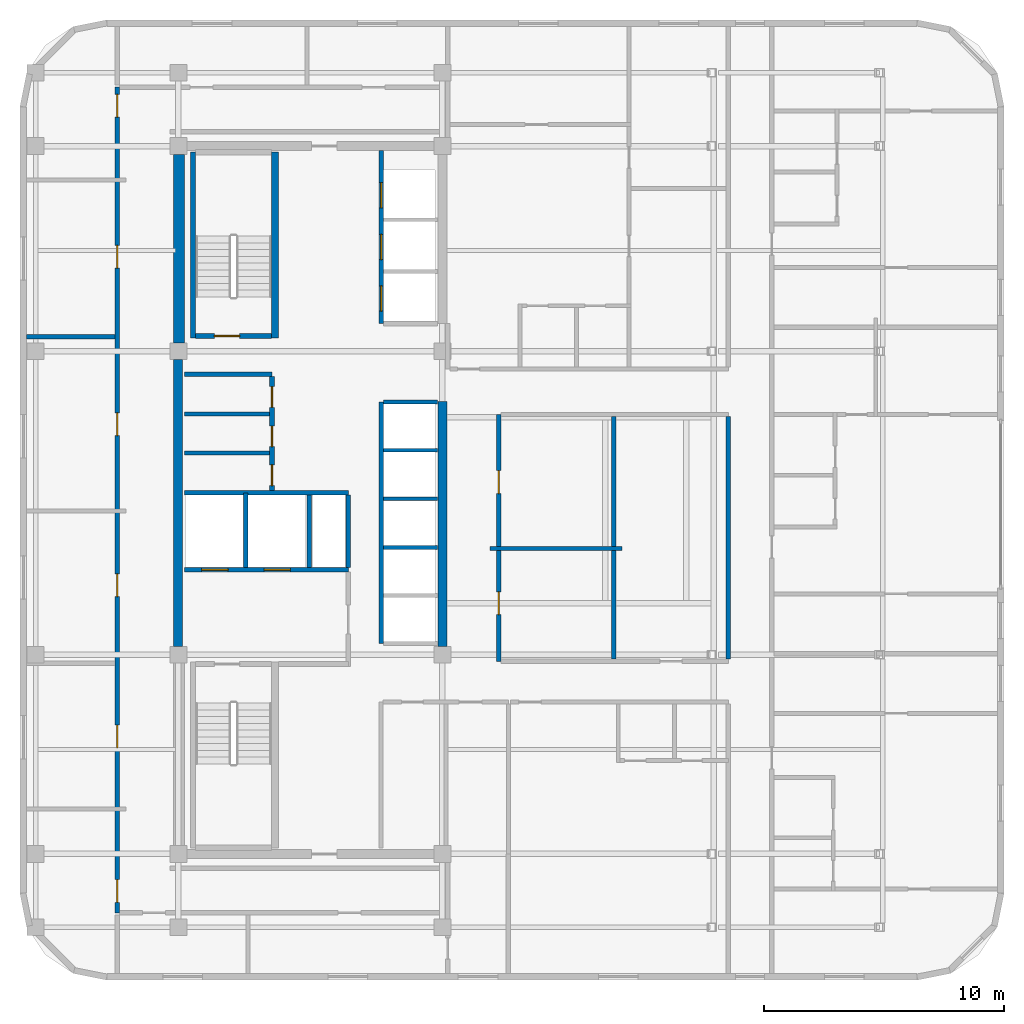
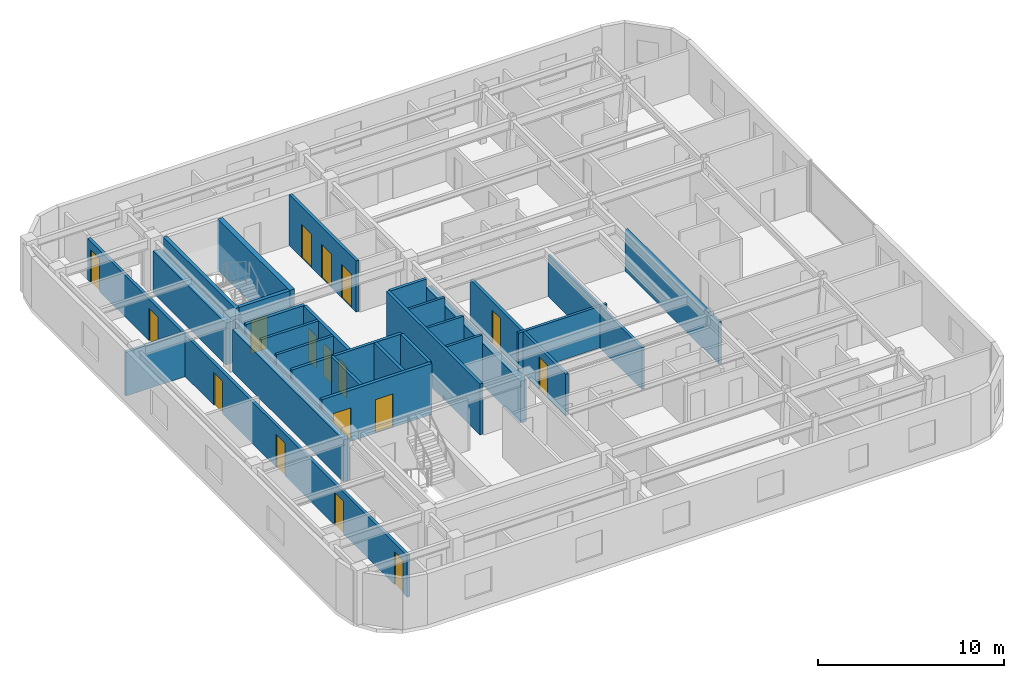
# One storey, part 5 of 9: 27 walls, 17 doors, 17 openings.
"""IFC4 building model written with IfcOpenShell, lengths in metres."""

from ifc_helpers import new_model, si_unit, direction, frame, frame_2d, origin, place, context, subcontext, project, spatial, rectangle, extrude, material, layer, layer_set, type_object, element, fill, save


model = new_model("IFC4")

# Units and contexts
model_context = context("Model", 3, precision=1e-05, world=origin(), true_north=direction((0.0, 1.0)))
body_context = subcontext(model_context, "Body", "Model", "MODEL_VIEW")
ifc_project = project(units=[si_unit("LENGTHUNIT", "METRE"), si_unit("AREAUNIT", "SQUARE_METRE"), si_unit("VOLUMEUNIT", "CUBIC_METRE"), si_unit("PLANEANGLEUNIT", "RADIAN"), si_unit("MASSUNIT", "GRAM", prefix="KILO")], contexts=[model_context])

# Site, building, storey
site_placement = place(None, origin())
site = spatial("IfcSite", under=ifc_project, at=site_placement, CompositionType="ELEMENT")
building_placement = place(site_placement, origin())
building = spatial("IfcBuilding", under=site, at=building_placement, Name="Ochreholt Gables", CompositionType="ELEMENT")
storey_placement = place(building_placement, frame((0.0, 0.0, 184.800048828125)))
storey = spatial("IfcBuildingStorey", under=building, at=storey_placement, Name="L48", CompositionType="ELEMENT", Elevation=184.800048828125)

# Walls
ifc_material_1 = material(Name="Concrete 50 MPa", Category="concrete")
ifc_layer_1 = layer(ifc_material_1, 0.3798828125, Name="Concrete 50 MPa")
ifc_layer_set_1 = layer_set([ifc_layer_1], Name="Concrete 50 MPa")
wall_type_1 = type_object("IfcWallType", Name="WALL-CSW-380", PredefinedType="SHEAR", material=ifc_layer_set_1)
wall_1_placement = place(storey_placement, frame((24.18994140625, 17.89990234375, 0.0), z_axis=(0.0, 0.0, 1.0), x_axis=(0.0, 1.0, 0.0)))
element("IfcWall", 1, at=wall_1_placement, inside=storey, type_object=wall_type_1, Name="L48 Core West Shear Wall WM", PredefinedType="SHEAR", context=body_context, shape_type="SweptSolid", body=[
    extrude(rectangle(XDim=11.9501953125, YDim=0.3798828125, at=frame_2d((5.97509765625, 0.0))), origin(), (0.0, 0.0, 1.0), 2.748046875),
])
wall_2_placement = place(storey_placement, frame((35.2099609375, 17.89990234375, 0.0), z_axis=(0.0, 0.0, 1.0), x_axis=(0.0, 1.0, 0.0)))
element("IfcWall", 2, at=wall_2_placement, inside=storey, type_object=wall_type_1, Name="L48 Core Central-East Shear Wall", PredefinedType="SHEAR", context=body_context, shape_type="SweptSolid", body=[
    extrude(rectangle(XDim=10.2001953125, YDim=0.3798828125, at=frame_2d((5.10009765625, 0.0))), origin(), (0.0, 0.0, 1.0), 2.748046875),
])
ifc_material_2 = material(Name="Concrete 60 MPa", Category="concrete")
ifc_layer_2 = layer(ifc_material_2, 0.449951171875, Name="Concrete 60 MPa")
ifc_layer_set_2 = layer_set([ifc_layer_2], Name="Concrete 60 MPa")
wall_type_2 = type_object("IfcWallType", Name="WALL-CSW-450", PredefinedType="SHEAR", material=ifc_layer_set_2)
wall_3_placement = place(storey_placement, frame((24.22509765625, 30.550048828125, 0.0), z_axis=(0.0, 0.0, 1.0), x_axis=(0.0, 1.0, 0.0)))
element("IfcWall", 3, at=wall_3_placement, inside=storey, type_object=wall_type_2, Name="L48 Core West Shear Wall WN", PredefinedType="SHEAR", context=body_context, shape_type="SweptSolid", body=[
    extrude(rectangle(XDim=7.849853515625, YDim=0.449951171875, at=frame_2d((3.9248046875, 0.0))), origin(), (0.0, 0.0, 1.0), 2.748046875),
])

# Wall, openings, doors
ifc_material_3 = material(Name="Concrete 40 MPa", Category="concrete")
ifc_layer_3 = layer(ifc_material_3, 0.199951171875, Name="Concrete 40 MPa")
ifc_layer_set_3 = layer_set([ifc_layer_3], Name="Concrete 40 MPa")
wall_type_3 = type_object("IfcWallType", Name="WALL-INT-CF200", PredefinedType="STANDARD", material=ifc_layer_set_3)
wall_4_placement = place(storey_placement, frame((24.449951171875, 21.090087890625, 0.0), z_axis=(0.0, 0.0, 1.0), x_axis=(1.0, 0.0, 0.0)))
wall_4 = element("IfcWall", 4, at=wall_4_placement, inside=storey, type_object=wall_type_3, Name="L48 Interior Wall WI-FFN-L48", PredefinedType="STANDARD", context=body_context, shape_type="SweptSolid", body=[
    extrude(rectangle(XDim=6.830078125, YDim=0.199951171875, at=frame_2d((3.4150390625, 0.0))), origin(), (0.0, 0.0, 1.0), 3.35986328125),
])
opening_1_placement = place(wall_4_placement, frame((0.719970703125, 0.0, 0.0)))
opening_1 = element("IfcOpeningElement", 5, at=opening_1_placement, cuts=wall_4, Name="Opening LD-FF", PredefinedType="OPENING", context=body_context, shape_type="SweptSolid", body=[
    extrude(rectangle(XDim=1.10009765625, YDim=2.199951171875, at=frame_2d((0.550048828125, 1.10009765625))), frame((0.0, 0.10986328125, 0.0), z_axis=(0.0, -1.0, 0.0), x_axis=(1.0, 0.0, 0.0)), (0.0, 0.0, 1.0), 0.219970703125),
])
opening_2_placement = place(wall_4_placement, frame((3.320068359375, 0.0, 0.0)))
opening_2 = element("IfcOpeningElement", 6, at=opening_2_placement, cuts=wall_4, Name="Opening LD-FF", PredefinedType="OPENING", context=body_context, shape_type="SweptSolid", body=[
    extrude(rectangle(XDim=1.10009765625, YDim=2.199951171875, at=frame_2d((0.550048828125, 1.10009765625))), frame((0.0, 0.10986328125, 0.0), z_axis=(0.0, -1.0, 0.0), x_axis=(1.0, 0.0, 0.0)), (0.0, 0.0, 1.0), 0.219970703125),
])
ifc_material_4 = material(Name="Stainless Steel", Category="steel")
door_type_1 = type_object("IfcDoorType", Name="DR-LFT-FF1100", OperationType="NOTDEFINED", PredefinedType="DOOR", material=ifc_material_4)
door_1_placement = place(opening_1_placement, origin())
door_1 = element("IfcDoor", 7, at=door_1_placement, inside=storey, type_object=door_type_1, Name="L48 Door LD-FF1-L48", OperationType="SLIDING_TO_LEFT", OverallHeight=2.199951171875, OverallWidth=1.10009765625, PredefinedType="DOOR", context=body_context, shape_type="SweptSolid", body=[
    extrude(rectangle(XDim=1.10009765625, YDim=2.199951171875, at=frame_2d((0.550048828125, 1.10009765625))), frame((0.0, 0.02490234375, 0.0), z_axis=(0.0, -1.0, 0.0), x_axis=(1.0, 0.0, 0.0)), (0.0, 0.0, 1.0), 0.050048828125),
])
fill(opening_1, door_1)
door_2_placement = place(opening_2_placement, origin())
door_2 = element("IfcDoor", 8, at=door_2_placement, inside=storey, type_object=door_type_1, Name="L48 Door LD-FF2-L48", OperationType="SLIDING_TO_LEFT", OverallHeight=2.199951171875, OverallWidth=1.10009765625, PredefinedType="DOOR", context=body_context, shape_type="SweptSolid", body=[
    extrude(rectangle(XDim=1.10009765625, YDim=2.199951171875, at=frame_2d((0.550048828125, 1.10009765625))), frame((0.0, 0.02490234375, 0.0), z_axis=(0.0, -1.0, 0.0), x_axis=(1.0, 0.0, 0.0)), (0.0, 0.0, 1.0), 0.050048828125),
])
fill(opening_2, door_2)

# Wall
wall_5_placement = place(storey_placement, frame((24.449951171875, 29.239990234375, 0.0), z_axis=(0.0, 0.0, 1.0), x_axis=(1.0, 0.0, 0.0)))
element("IfcWall", 9, at=wall_5_placement, inside=storey, type_object=wall_type_3, Name="L48 Interior Wall WI-SRVN-L48", PredefinedType="STANDARD", context=body_context, shape_type="SweptSolid", body=[
    extrude(rectangle(XDim=3.650146484375, YDim=0.199951171875, at=frame_2d((1.8251953125, 0.0))), origin(), (0.0, 0.0, 1.0), 3.35986328125),
])

# Wall, openings, doors
wall_6_placement = place(storey_placement, frame((28.10009765625, 24.389892578125, 0.0), z_axis=(0.0, 0.0, 1.0), x_axis=(0.0, 1.0, 0.0)))
wall_6 = element("IfcWall", 10, at=wall_6_placement, inside=storey, type_object=wall_type_3, Name="L48 Interior Wall WI-SRVE-L48", PredefinedType="STANDARD", context=body_context, shape_type="SweptSolid", body=[
    extrude(rectangle(XDim=4.75, YDim=0.199951171875, at=frame_2d((2.375, 0.0))), origin(), (0.0, 0.0, 1.0), 3.35986328125),
])
opening_3_placement = place(wall_6_placement, frame((0.2099609375, 0.0, 0.0)))
opening_3 = element("IfcOpeningElement", 11, at=opening_3_placement, cuts=wall_6, Name="Opening D-SV2", PredefinedType="OPENING", context=body_context, shape_type="SweptSolid", body=[
    extrude(rectangle(XDim=0.860107421875, YDim=2.10009765625, at=frame_2d((0.43017578125, 1.050048828125))), frame((0.0, 0.10986328125, 0.0), z_axis=(0.0, -1.0, 0.0), x_axis=(1.0, 0.0, 0.0)), (0.0, 0.0, 1.0), 0.219970703125),
])
opening_4_placement = place(wall_6_placement, frame((1.830078125, 0.0, 0.0)))
opening_4 = element("IfcOpeningElement", 12, at=opening_4_placement, cuts=wall_6, Name="Opening D-SV2", PredefinedType="OPENING", context=body_context, shape_type="SweptSolid", body=[
    extrude(rectangle(XDim=0.860107421875, YDim=2.10009765625, at=frame_2d((0.43017578125, 1.050048828125))), frame((0.0, 0.10986328125, 0.0), z_axis=(0.0, -1.0, 0.0), x_axis=(1.0, 0.0, 0.0)), (0.0, 0.0, 1.0), 0.219970703125),
])
opening_5_placement = place(wall_6_placement, frame((3.469970703125, 0.0, 0.0)))
opening_5 = element("IfcOpeningElement", 13, at=opening_5_placement, cuts=wall_6, Name="Opening D-SV2", PredefinedType="OPENING", context=body_context, shape_type="SweptSolid", body=[
    extrude(rectangle(XDim=0.860107421875, YDim=2.10009765625, at=frame_2d((0.43017578125, 1.050048828125))), frame((0.0, 0.10986328125, 0.0), z_axis=(0.0, -1.0, 0.0), x_axis=(1.0, 0.0, 0.0)), (0.0, 0.0, 1.0), 0.219970703125),
])
ifc_material_5 = material(Name="Hollow Metal Steel", Category="steel")
door_type_2 = type_object("IfcDoorType", Name="DR-INT-SRV860", OperationType="NOTDEFINED", PredefinedType="DOOR", material=ifc_material_5)
door_3_placement = place(opening_3_placement, origin())
door_3 = element("IfcDoor", 14, at=door_3_placement, inside=storey, type_object=door_type_2, Name="L48 Door D-SRV1-L48", OperationType="SINGLE_SWING_LEFT", OverallHeight=2.10009765625, OverallWidth=0.860107421875, PredefinedType="DOOR", context=body_context, shape_type="SweptSolid", body=[
    extrude(rectangle(XDim=0.860107421875, YDim=2.10009765625, at=frame_2d((0.43017578125, 1.050048828125))), frame((0.0, 0.02490234375, 0.0), z_axis=(0.0, -1.0, 0.0), x_axis=(1.0, 0.0, 0.0)), (0.0, 0.0, 1.0), 0.050048828125),
])
fill(opening_3, door_3)
door_4_placement = place(opening_4_placement, origin())
door_4 = element("IfcDoor", 15, at=door_4_placement, inside=storey, type_object=door_type_2, Name="L48 Door D-SRV2-L48", OperationType="SINGLE_SWING_RIGHT", OverallHeight=2.10009765625, OverallWidth=0.860107421875, PredefinedType="DOOR", context=body_context, shape_type="SweptSolid", body=[
    extrude(rectangle(XDim=0.860107421875, YDim=2.10009765625, at=frame_2d((0.43017578125, 1.050048828125))), frame((0.0, 0.02490234375, 0.0), z_axis=(0.0, -1.0, 0.0), x_axis=(1.0, 0.0, 0.0)), (0.0, 0.0, 1.0), 0.050048828125),
])
fill(opening_4, door_4)
door_5_placement = place(opening_5_placement, origin())
door_5 = element("IfcDoor", 16, at=door_5_placement, inside=storey, type_object=door_type_2, Name="L48 Door D-SRV3-L48", OperationType="SINGLE_SWING_LEFT", OverallHeight=2.10009765625, OverallWidth=0.860107421875, PredefinedType="DOOR", context=body_context, shape_type="SweptSolid", body=[
    extrude(rectangle(XDim=0.860107421875, YDim=2.10009765625, at=frame_2d((0.43017578125, 1.050048828125))), frame((0.0, 0.02490234375, 0.0), z_axis=(0.0, -1.0, 0.0), x_axis=(1.0, 0.0, 0.0)), (0.0, 0.0, 1.0), 0.050048828125),
])
fill(opening_5, door_5)

ifc_material_6 = material(Name="Fire-Rated Gypsum Acoustic Partition", Category="gypsum")
ifc_layer_4 = layer(ifc_material_6, 0.179931640625, Name="Fire-Rated Gypsum Acoustic Partition")
ifc_layer_set_4 = layer_set([ifc_layer_4], Name="Fire-Rated Gypsum Acoustic Partition")
wall_type_4 = type_object("IfcWallType", Name="WALL-INT-CR180", PredefinedType="STANDARD", material=ifc_layer_set_4)
wall_7_placement = place(storey_placement, frame((37.550048828125, 17.280029296875, 0.0), z_axis=(0.0, 0.0, 1.0), x_axis=(0.0, 1.0, 0.0)))
wall_7 = element("IfcWall", 17, at=wall_7_placement, inside=storey, type_object=wall_type_4, Name="L48 Interior Wall WI-C2EM-L48", PredefinedType="STANDARD", context=body_context, shape_type="SweptSolid", body=[
    extrude(rectangle(XDim=10.280029296875, YDim=0.179931640625, at=frame_2d((5.14013671875, 0.0))), origin(), (0.0, 0.0, 1.0), 2.72998046875),
])
opening_6_placement = place(wall_7_placement, frame((1.93994140625, 0.0, 0.0)))
opening_6 = element("IfcOpeningElement", 18, at=opening_6_placement, cuts=wall_7, Name="Opening D-GN1", PredefinedType="OPENING", context=body_context, shape_type="SweptSolid", body=[
    extrude(rectangle(XDim=0.949951171875, YDim=2.14990234375, at=frame_2d((0.47509765625, 1.074951171875))), frame((0.0, 0.099853515625, 0.0), z_axis=(0.0, -1.0, 0.0), x_axis=(1.0, 0.0, 0.0)), (0.0, 0.0, 1.0), 0.199951171875),
])
opening_7_placement = place(wall_7_placement, frame((6.989990234375, 0.0, 0.0)))
opening_7 = element("IfcOpeningElement", 19, at=opening_7_placement, cuts=wall_7, Name="Opening D-GN1", PredefinedType="OPENING", context=body_context, shape_type="SweptSolid", body=[
    extrude(rectangle(XDim=0.949951171875, YDim=2.14990234375, at=frame_2d((0.47509765625, 1.074951171875))), frame((0.0, 0.099853515625, 0.0), z_axis=(0.0, -1.0, 0.0), x_axis=(1.0, 0.0, 0.0)), (0.0, 0.0, 1.0), 0.199951171875),
])
ifc_material_7 = material(Name="Engineered Oak Timber", Category="wood")
door_type_3 = type_object("IfcDoorType", Name="DR-INT-GEN950", OperationType="NOTDEFINED", PredefinedType="DOOR", material=ifc_material_7)
door_6_placement = place(opening_6_placement, origin())
door_6 = element("IfcDoor", 20, at=door_6_placement, inside=storey, type_object=door_type_3, Name="L48 Door D-U-L48M1A-ENT", OperationType="SINGLE_SWING_RIGHT", OverallHeight=2.14990234375, OverallWidth=0.949951171875, PredefinedType="DOOR", context=body_context, shape_type="SweptSolid", body=[
    extrude(rectangle(XDim=0.949951171875, YDim=2.14990234375, at=frame_2d((0.47509765625, 1.074951171875))), frame((0.0, 0.02490234375, 0.0), z_axis=(0.0, -1.0, 0.0), x_axis=(1.0, 0.0, 0.0)), (0.0, 0.0, 1.0), 0.050048828125),
])
fill(opening_6, door_6)
door_7_placement = place(opening_7_placement, origin())
door_7 = element("IfcDoor", 21, at=door_7_placement, inside=storey, type_object=door_type_3, Name="L48 Door D-U-L48M1B-ENT", OperationType="SINGLE_SWING_LEFT", OverallHeight=2.14990234375, OverallWidth=0.949951171875, PredefinedType="DOOR", context=body_context, shape_type="SweptSolid", body=[
    extrude(rectangle(XDim=0.949951171875, YDim=2.14990234375, at=frame_2d((0.47509765625, 1.074951171875))), frame((0.0, 0.02490234375, 0.0), z_axis=(0.0, -1.0, 0.0), x_axis=(1.0, 0.0, 0.0)), (0.0, 0.0, 1.0), 0.050048828125),
])
fill(opening_7, door_7)

wall_8_placement = place(storey_placement, frame((21.64990234375, 6.800048828125, 0.0), z_axis=(0.0, 0.0, 1.0), x_axis=(0.0, 1.0, 0.0)))
wall_8 = element("IfcWall", 22, at=wall_8_placement, inside=storey, type_object=wall_type_4, Name="L48 Interior Wall WI-C2WCW-L48", PredefinedType="STANDARD", context=body_context, shape_type="SweptSolid", body=[
    extrude(rectangle(XDim=34.39990234375, YDim=0.179931640625, at=frame_2d((17.199951171875, 0.0))), origin(), (0.0, 0.0, 1.0), 2.72998046875),
])
opening_8_placement = place(wall_8_placement, frame((0.4326171875, 0.0, 0.0)))
opening_8 = element("IfcOpeningElement", 23, at=opening_8_placement, cuts=wall_8, Name="Opening D-GN1", PredefinedType="OPENING", context=body_context, shape_type="SweptSolid", body=[
    extrude(rectangle(XDim=0.949951171875, YDim=2.14990234375, at=frame_2d((0.47509765625, 1.074951171875))), frame((0.0, 0.099853515625, 0.0), z_axis=(0.0, -1.0, 0.0), x_axis=(1.0, 0.0, 0.0)), (0.0, 0.0, 1.0), 0.199951171875),
])
opening_9_placement = place(wall_8_placement, frame((6.867431640625, 0.0, 0.0)))
opening_9 = element("IfcOpeningElement", 24, at=opening_9_placement, cuts=wall_8, Name="Opening D-GN1", PredefinedType="OPENING", context=body_context, shape_type="SweptSolid", body=[
    extrude(rectangle(XDim=0.949951171875, YDim=2.14990234375, at=frame_2d((0.47509765625, 1.074951171875))), frame((0.0, 0.099853515625, 0.0), z_axis=(0.0, -1.0, 0.0), x_axis=(1.0, 0.0, 0.0)), (0.0, 0.0, 1.0), 0.199951171875),
])
opening_10_placement = place(wall_8_placement, frame((13.169921875, 0.0, 0.0)))
opening_10 = element("IfcOpeningElement", 25, at=opening_10_placement, cuts=wall_8, Name="Opening D-GN1", PredefinedType="OPENING", context=body_context, shape_type="SweptSolid", body=[
    extrude(rectangle(XDim=0.949951171875, YDim=2.14990234375, at=frame_2d((0.47509765625, 1.074951171875))), frame((0.0, 0.099853515625, 0.0), z_axis=(0.0, -1.0, 0.0), x_axis=(1.0, 0.0, 0.0)), (0.0, 0.0, 1.0), 0.199951171875),
])
opening_11_placement = place(wall_8_placement, frame((19.8798828125, 0.0, 0.0)))
opening_11 = element("IfcOpeningElement", 26, at=opening_11_placement, cuts=wall_8, Name="Opening D-GN1", PredefinedType="OPENING", context=body_context, shape_type="SweptSolid", body=[
    extrude(rectangle(XDim=0.949951171875, YDim=2.14990234375, at=frame_2d((0.47509765625, 1.074951171875))), frame((0.0, 0.099853515625, 0.0), z_axis=(0.0, -1.0, 0.0), x_axis=(1.0, 0.0, 0.0)), (0.0, 0.0, 1.0), 0.199951171875),
])
opening_12_placement = place(wall_8_placement, frame((26.857421875, 0.0, 0.0)))
opening_12 = element("IfcOpeningElement", 27, at=opening_12_placement, cuts=wall_8, Name="Opening D-GN1", PredefinedType="OPENING", context=body_context, shape_type="SweptSolid", body=[
    extrude(rectangle(XDim=0.949951171875, YDim=2.14990234375, at=frame_2d((0.47509765625, 1.074951171875))), frame((0.0, 0.099853515625, 0.0), z_axis=(0.0, -1.0, 0.0), x_axis=(1.0, 0.0, 0.0)), (0.0, 0.0, 1.0), 0.199951171875),
])
opening_13_placement = place(wall_8_placement, frame((33.152587890625, 0.0, 0.0)))
opening_13 = element("IfcOpeningElement", 28, at=opening_13_placement, cuts=wall_8, Name="Opening D-GN1", PredefinedType="OPENING", context=body_context, shape_type="SweptSolid", body=[
    extrude(rectangle(XDim=0.949951171875, YDim=2.14990234375, at=frame_2d((0.47509765625, 1.074951171875))), frame((0.0, 0.099853515625, 0.0), z_axis=(0.0, -1.0, 0.0), x_axis=(1.0, 0.0, 0.0)), (0.0, 0.0, 1.0), 0.199951171875),
])
door_8_placement = place(opening_8_placement, origin())
door_8 = element("IfcDoor", 29, at=door_8_placement, inside=storey, type_object=door_type_3, Name="L48 Door D-U-L48W1A-ENT", OperationType="SINGLE_SWING_LEFT", OverallHeight=2.14990234375, OverallWidth=0.949951171875, PredefinedType="DOOR", context=body_context, shape_type="SweptSolid", body=[
    extrude(rectangle(XDim=0.949951171875, YDim=2.14990234375, at=frame_2d((0.47509765625, 1.074951171875))), frame((0.0, 0.02490234375, 0.0), z_axis=(0.0, -1.0, 0.0), x_axis=(1.0, 0.0, 0.0)), (0.0, 0.0, 1.0), 0.050048828125),
])
fill(opening_8, door_8)
door_9_placement = place(opening_9_placement, origin())
door_9 = element("IfcDoor", 30, at=door_9_placement, inside=storey, type_object=door_type_3, Name="L48 Door D-U-L48W1B-ENT", OperationType="SINGLE_SWING_RIGHT", OverallHeight=2.14990234375, OverallWidth=0.949951171875, PredefinedType="DOOR", context=body_context, shape_type="SweptSolid", body=[
    extrude(rectangle(XDim=0.949951171875, YDim=2.14990234375, at=frame_2d((0.47509765625, 1.074951171875))), frame((0.0, 0.02490234375, 0.0), z_axis=(0.0, -1.0, 0.0), x_axis=(1.0, 0.0, 0.0)), (0.0, 0.0, 1.0), 0.050048828125),
])
fill(opening_9, door_9)
door_10_placement = place(opening_10_placement, origin())
door_10 = element("IfcDoor", 31, at=door_10_placement, inside=storey, type_object=door_type_3, Name="L48 Door D-U-L48W2A-ENT", OperationType="SINGLE_SWING_RIGHT", OverallHeight=2.14990234375, OverallWidth=0.949951171875, PredefinedType="DOOR", context=body_context, shape_type="SweptSolid", body=[
    extrude(rectangle(XDim=0.949951171875, YDim=2.14990234375, at=frame_2d((0.47509765625, 1.074951171875))), frame((0.0, 0.02490234375, 0.0), z_axis=(0.0, -1.0, 0.0), x_axis=(1.0, 0.0, 0.0)), (0.0, 0.0, 1.0), 0.050048828125),
])
fill(opening_10, door_10)
door_11_placement = place(opening_11_placement, origin())
door_11 = element("IfcDoor", 32, at=door_11_placement, inside=storey, type_object=door_type_3, Name="L48 Door D-U-L48W2B-ENT", OperationType="SINGLE_SWING_LEFT", OverallHeight=2.14990234375, OverallWidth=0.949951171875, PredefinedType="DOOR", context=body_context, shape_type="SweptSolid", body=[
    extrude(rectangle(XDim=0.949951171875, YDim=2.14990234375, at=frame_2d((0.47509765625, 1.074951171875))), frame((0.0, 0.02490234375, 0.0), z_axis=(0.0, -1.0, 0.0), x_axis=(1.0, 0.0, 0.0)), (0.0, 0.0, 1.0), 0.050048828125),
])
fill(opening_11, door_11)
door_12_placement = place(opening_12_placement, origin())
door_12 = element("IfcDoor", 33, at=door_12_placement, inside=storey, type_object=door_type_3, Name="L48 Door D-U-L48W3A-ENT", OperationType="SINGLE_SWING_LEFT", OverallHeight=2.14990234375, OverallWidth=0.949951171875, PredefinedType="DOOR", context=body_context, shape_type="SweptSolid", body=[
    extrude(rectangle(XDim=0.949951171875, YDim=2.14990234375, at=frame_2d((0.47509765625, 1.074951171875))), frame((0.0, 0.02490234375, 0.0), z_axis=(0.0, -1.0, 0.0), x_axis=(1.0, 0.0, 0.0)), (0.0, 0.0, 1.0), 0.050048828125),
])
fill(opening_12, door_12)
door_13_placement = place(opening_13_placement, origin())
door_13 = element("IfcDoor", 34, at=door_13_placement, inside=storey, type_object=door_type_3, Name="L48 Door D-U-L48W3B-ENT", OperationType="SINGLE_SWING_RIGHT", OverallHeight=2.14990234375, OverallWidth=0.949951171875, PredefinedType="DOOR", context=body_context, shape_type="SweptSolid", body=[
    extrude(rectangle(XDim=0.949951171875, YDim=2.14990234375, at=frame_2d((0.47509765625, 1.074951171875))), frame((0.0, 0.02490234375, 0.0), z_axis=(0.0, -1.0, 0.0), x_axis=(1.0, 0.0, 0.0)), (0.0, 0.0, 1.0), 0.050048828125),
])
fill(opening_13, door_13)

# Walls
wall_9_placement = place(storey_placement, frame((47.116943359375, 17.3701171875, 0.0), z_axis=(0.0, 0.0, 1.0), x_axis=(0.0, 1.0, 0.0)))
element("IfcWall", 35, at=wall_9_placement, inside=storey, type_object=wall_type_4, Name="L48 Interior Wall WI-C2FEGW2-L48", PredefinedType="STANDARD", context=body_context, shape_type="SweptSolid", body=[
    extrude(rectangle(XDim=10.099853515625, YDim=0.179931640625, at=frame_2d((5.0498046875, 0.0))), origin(), (0.0, 0.0, 1.0), 2.72998046875),
])
ifc_material_8 = material(Name="Double-Stud Acoustic Demising Wall", Category="gypsum")
ifc_layer_5 = layer(ifc_material_8, 0.179931640625, Name="Double-Stud Acoustic Demising Wall")
ifc_layer_set_5 = layer_set([ifc_layer_5], Name="Double-Stud Acoustic Demising Wall")
wall_type_5 = type_object("IfcWallType", Name="WALL-INT-DM180", PredefinedType="PARTITIONING", material=ifc_layer_set_5)
wall_10_placement = place(storey_placement, frame((42.33349609375, 17.3701171875, 0.0), z_axis=(0.0, 0.0, 1.0), x_axis=(0.0, 1.0, 0.0)))
element("IfcWall", 36, at=wall_10_placement, inside=storey, type_object=wall_type_5, Name="L48 Interior Wall WI-C2UDM-L48", PredefinedType="PARTITIONING", context=body_context, shape_type="SweptSolid", body=[
    extrude(rectangle(XDim=10.099853515625, YDim=0.179931640625, at=frame_2d((5.0498046875, 0.0))), origin(), (0.0, 0.0, 1.0), 2.72998046875),
])
wall_11_placement = place(storey_placement, frame((17.8798828125, 30.800048828125, 0.0), z_axis=(0.0, 0.0, 1.0), x_axis=(1.0, 0.0, 0.0)))
element("IfcWall", 37, at=wall_11_placement, inside=storey, type_object=wall_type_5, Name="L48 Interior Wall WI-C2UDW3-L48", PredefinedType="PARTITIONING", context=body_context, shape_type="SweptSolid", body=[
    extrude(rectangle(XDim=3.68017578125, YDim=0.179931640625, at=frame_2d((1.840087890625, 0.0))), origin(), (0.0, 0.0, 1.0), 2.87890625),
])
ifc_material_9 = material(Name="Gypsum Acoustic Stud Partition", Category="gypsum")
ifc_layer_6 = layer(ifc_material_9, 0.1650390625, Name="Gypsum Acoustic Stud Partition")
ifc_layer_set_6 = layer_set([ifc_layer_6], Name="Gypsum Acoustic Stud Partition")
wall_type_6 = type_object("IfcWallType", Name="WALL-INT-PT165", PredefinedType="PARTITIONING", material=ifc_layer_set_6)
for number, where, z_axis, x_axis, name in (
    (38, (24.449951171875, 25.949951171875, 0.0), (0.0, 0.0, 1.0), (1.0, 0.0, 0.0), "L48 Interior Wall WI-SRVP1-L48"),
    (39, (24.449951171875, 27.580078125, 0.0), (0.0, 0.0, 1.0), (1.0, 0.0, 0.0), "L48 Interior Wall WI-SRVP2-L48"),
):
    element("IfcWall", number, at=place(storey_placement, frame(where, z_axis=z_axis, x_axis=x_axis)), inside=storey, type_object=wall_type_6, Name=name, PredefinedType="PARTITIONING", context=body_context, shape_type="SweptSolid", body=[
        extrude(rectangle(XDim=3.550048828125, YDim=0.1650390625, at=frame_2d((1.77490234375, 0.0))), origin(), (0.0, 0.0, 1.0), 3.35986328125),
    ])
wall_12_placement = place(storey_placement, frame((37.18994140625, 21.969970703125, 0.0), z_axis=(0.0, 0.0, 1.0), x_axis=(1.0, 0.0, 0.0)))
element("IfcWall", 40, at=wall_12_placement, inside=storey, type_object=wall_type_6, Name="L48 Interior Wall WU-L48M1-SDV", PredefinedType="PARTITIONING", context=body_context, shape_type="SweptSolid", body=[
    extrude(rectangle(XDim=5.503662109375, YDim=0.1650390625, at=frame_2d((2.751953125, 0.0))), origin(), (0.0, 0.0, 1.0), 2.72998046875),
])
ifc_material_10 = material(Name="Gypsum Shaftliner and Steel Stud", Category="steel")
ifc_layer_7 = layer(ifc_material_10, 0.14990234375, Name="Gypsum Shaftliner and Steel Stud")
ifc_layer_set_7 = layer_set([ifc_layer_7], Name="Gypsum Shaftliner and Steel Stud")
wall_type_7 = type_object("IfcWallType", Name="WALL-INT-SH150", PredefinedType="STANDARD", material=ifc_layer_set_7)
for number, where, z_axis, x_axis, name in (
    (41, (32.739990234375, 22.02001953125, 0.0), (0.0, 0.0, 1.0), (1.0, 0.0, 0.0), "L48 Interior Wall WI-LFHE-DH2-L48"),
    (42, (32.739990234375, 24.050048828125, 0.0), (0.0, 0.0, 1.0), (1.0, 0.0, 0.0), "L48 Interior Wall WI-LFHE-DHE-L48"),
    (43, (32.739990234375, 26.070068359375, 0.0), (0.0, 0.0, 1.0), (1.0, 0.0, 0.0), "L48 Interior Wall WI-LFHE-DEX1-L48"),
):
    element("IfcWall", number, at=place(storey_placement, frame(where, z_axis=z_axis, x_axis=x_axis)), inside=storey, type_object=wall_type_7, Name=name, PredefinedType="STANDARD", context=body_context, shape_type="SweptSolid", body=[
        extrude(rectangle(XDim=2.260009765625, YDim=0.14990234375, at=frame_2d((1.1298828125, 0.0))), origin(), (0.0, 0.0, 1.0), 3.35986328125),
    ])
ifc_layer_8 = layer(ifc_material_10, 0.179931640625, Name="Gypsum Shaftliner and Steel Stud")
ifc_layer_set_8 = layer_set([ifc_layer_8], Name="Gypsum Shaftliner and Steel Stud")
wall_type_8 = type_object("IfcWallType", Name="WALL-INT-SH180", PredefinedType="STANDARD", material=ifc_layer_set_8)
wall_13_placement = place(storey_placement, frame((27.0, 21.18994140625, 0.0), z_axis=(0.0, 0.0, 1.0), x_axis=(0.0, 1.0, 0.0)))
element("IfcWall", 44, at=wall_13_placement, inside=storey, type_object=wall_type_8, Name="L48 Interior Wall WI-FFDIV-L48", PredefinedType="STANDARD", context=body_context, shape_type="SweptSolid", body=[
    extrude(rectangle(XDim=3.110107421875, YDim=0.179931640625, at=frame_2d((1.55517578125, 0.0))), origin(), (0.0, 0.0, 1.0), 3.35986328125),
])
wall_14_placement = place(storey_placement, frame((24.449951171875, 24.300048828125, 0.0), z_axis=(0.0, 0.0, 1.0), x_axis=(1.0, 0.0, 0.0)))
element("IfcWall", 45, at=wall_14_placement, inside=storey, type_object=wall_type_8, Name="L48 Interior Wall WI-FFBK-L48", PredefinedType="STANDARD", context=body_context, shape_type="SweptSolid", body=[
    extrude(rectangle(XDim=6.830078125, YDim=0.179931640625, at=frame_2d((3.4150390625, 0.0))), origin(), (0.0, 0.0, 1.0), 3.35986328125),
])
for number, where, z_axis, x_axis, name in (
    (46, (29.64990234375, 21.18994140625, 0.0), (0.0, 0.0, 1.0), (0.0, 1.0, 0.0), "L48 Interior Wall WI-FFSH-L48"),
    (47, (31.280029296875, 21.18994140625, 0.0), (0.0, 0.0, 1.0), (0.0, 1.0, 0.0), "L48 Interior Wall WI-RSE-L48"),
):
    element("IfcWall", number, at=place(storey_placement, frame(where, z_axis=z_axis, x_axis=x_axis)), inside=storey, type_object=wall_type_8, Name=name, PredefinedType="STANDARD", context=body_context, shape_type="SweptSolid", body=[
        extrude(rectangle(XDim=3.02001953125, YDim=0.179931640625, at=frame_2d((1.510009765625, 0.0))), origin(), (0.0, 0.0, 1.0), 3.35986328125),
    ])
wall_15_placement = place(storey_placement, frame((32.64990234375, 18.02001953125, 0.0), z_axis=(0.0, 0.0, 1.0), x_axis=(0.0, 1.0, 0.0)))
element("IfcWall", 48, at=wall_15_placement, inside=storey, type_object=wall_type_8, Name="L48 Interior Wall WI-LFHE-FR-L48", PredefinedType="STANDARD", context=body_context, shape_type="SweptSolid", body=[
    extrude(rectangle(XDim=10.06005859375, YDim=0.179931640625, at=frame_2d((5.030029296875, 0.0))), origin(), (0.0, 0.0, 1.0), 3.35986328125),
])
wall_16_placement = place(storey_placement, frame((32.739990234375, 28.080078125, 0.0), z_axis=(0.0, 0.0, 1.0), x_axis=(1.0, 0.0, 0.0)))
element("IfcWall", 49, at=wall_16_placement, inside=storey, type_object=wall_type_8, Name="L48 Interior Wall WI-LFHE-N-L48", PredefinedType="STANDARD", context=body_context, shape_type="SweptSolid", body=[
    extrude(rectangle(XDim=2.260009765625, YDim=0.179931640625, at=frame_2d((1.1298828125, 0.0))), origin(), (0.0, 0.0, 1.0), 3.35986328125),
])

# Wall, openings, doors
wall_17_placement = place(storey_placement, frame((32.64990234375, 31.35009765625, 0.0), z_axis=(0.0, 0.0, 1.0), x_axis=(0.0, 1.0, 0.0)))
wall_17 = element("IfcWall", 50, at=wall_17_placement, inside=storey, type_object=wall_type_8, Name="L48 Interior Wall WI-LFM-FR-L48", PredefinedType="STANDARD", context=body_context, shape_type="SweptSolid", body=[
    extrude(rectangle(XDim=7.2099609375, YDim=0.179931640625, at=frame_2d((3.60498046875, 0.0))), origin(), (0.0, 0.0, 1.0), 3.35986328125),
])
opening_14_placement = place(wall_17_placement, frame((0.52001953125, 0.0, 0.0)))
opening_14 = element("IfcOpeningElement", 51, at=opening_14_placement, cuts=wall_17, Name="Opening LD-PX", PredefinedType="OPENING", context=body_context, shape_type="SweptSolid", body=[
    extrude(rectangle(XDim=1.050048828125, YDim=2.199951171875, at=frame_2d((0.52490234375, 1.10009765625))), frame((0.0, 0.099853515625, 0.0), z_axis=(0.0, -1.0, 0.0), x_axis=(1.0, 0.0, 0.0)), (0.0, 0.0, 1.0), 0.199951171875),
])
opening_15_placement = place(wall_17_placement, frame((2.669921875, 0.0, 0.0)))
opening_15 = element("IfcOpeningElement", 52, at=opening_15_placement, cuts=wall_17, Name="Opening LD-PX", PredefinedType="OPENING", context=body_context, shape_type="SweptSolid", body=[
    extrude(rectangle(XDim=1.050048828125, YDim=2.199951171875, at=frame_2d((0.52490234375, 1.10009765625))), frame((0.0, 0.099853515625, 0.0), z_axis=(0.0, -1.0, 0.0), x_axis=(1.0, 0.0, 0.0)), (0.0, 0.0, 1.0), 0.199951171875),
])
opening_16_placement = place(wall_17_placement, frame((4.820068359375, 0.0, 0.0)))
opening_16 = element("IfcOpeningElement", 53, at=opening_16_placement, cuts=wall_17, Name="Opening LD-PX", PredefinedType="OPENING", context=body_context, shape_type="SweptSolid", body=[
    extrude(rectangle(XDim=1.050048828125, YDim=2.199951171875, at=frame_2d((0.52490234375, 1.10009765625))), frame((0.0, 0.099853515625, 0.0), z_axis=(0.0, -1.0, 0.0), x_axis=(1.0, 0.0, 0.0)), (0.0, 0.0, 1.0), 0.199951171875),
])
door_type_4 = type_object("IfcDoorType", Name="DR-LFT-PX1050", OperationType="NOTDEFINED", PredefinedType="DOOR", material=ifc_material_4)
door_14_placement = place(opening_14_placement, origin())
door_14 = element("IfcDoor", 54, at=door_14_placement, inside=storey, type_object=door_type_4, Name="L48 Door LD-M1-L48", OperationType="SLIDING_TO_LEFT", OverallHeight=2.199951171875, OverallWidth=1.050048828125, PredefinedType="DOOR", context=body_context, shape_type="SweptSolid", body=[
    extrude(rectangle(XDim=1.050048828125, YDim=2.199951171875, at=frame_2d((0.52490234375, 1.10009765625))), frame((0.0, 0.02490234375, 0.0), z_axis=(0.0, -1.0, 0.0), x_axis=(1.0, 0.0, 0.0)), (0.0, 0.0, 1.0), 0.050048828125),
])
fill(opening_14, door_14)
door_15_placement = place(opening_15_placement, origin())
door_15 = element("IfcDoor", 55, at=door_15_placement, inside=storey, type_object=door_type_4, Name="L48 Door LD-M2-L48", OperationType="SLIDING_TO_LEFT", OverallHeight=2.199951171875, OverallWidth=1.050048828125, PredefinedType="DOOR", context=body_context, shape_type="SweptSolid", body=[
    extrude(rectangle(XDim=1.050048828125, YDim=2.199951171875, at=frame_2d((0.52490234375, 1.10009765625))), frame((0.0, 0.02490234375, 0.0), z_axis=(0.0, -1.0, 0.0), x_axis=(1.0, 0.0, 0.0)), (0.0, 0.0, 1.0), 0.050048828125),
])
fill(opening_15, door_15)
door_16_placement = place(opening_16_placement, origin())
door_16 = element("IfcDoor", 56, at=door_16_placement, inside=storey, type_object=door_type_4, Name="L48 Door LD-M3-L48", OperationType="SLIDING_TO_LEFT", OverallHeight=2.199951171875, OverallWidth=1.050048828125, PredefinedType="DOOR", context=body_context, shape_type="SweptSolid", body=[
    extrude(rectangle(XDim=1.050048828125, YDim=2.199951171875, at=frame_2d((0.52490234375, 1.10009765625))), frame((0.0, 0.02490234375, 0.0), z_axis=(0.0, -1.0, 0.0), x_axis=(1.0, 0.0, 0.0)), (0.0, 0.0, 1.0), 0.050048828125),
])
fill(opening_16, door_16)

# Walls
ifc_layer_9 = layer(ifc_material_2, 0.300048828125, Name="Concrete 60 MPa")
ifc_layer_set_9 = layer_set([ifc_layer_9], Name="Concrete 60 MPa")
wall_type_9 = type_object("IfcWallType", Name="WALL-SPN-300", PredefinedType="SHEAR", material=ifc_layer_set_9)
wall_18_placement = place(storey_placement, frame((28.22998046875, 30.739990234375, 0.0), z_axis=(0.0, 0.0, 1.0), x_axis=(0.0, 1.0, 0.0)))
element("IfcWall", 57, at=wall_18_placement, inside=storey, type_object=wall_type_9, Name="L48 Core North Spine Shear Wall", PredefinedType="SHEAR", context=body_context, shape_type="SweptSolid", body=[
    extrude(rectangle(XDim=7.760009765625, YDim=0.300048828125, at=frame_2d((3.8798828125, 0.0))), origin(), (0.0, 0.0, 1.0), 3.35986328125),
])
ifc_layer_10 = layer(ifc_material_1, 0.219970703125, Name="Concrete 50 MPa")
ifc_layer_set_10 = layer_set([ifc_layer_10], Name="Concrete 50 MPa")
wall_type_10 = type_object("IfcWallType", Name="WALL-STW-220", PredefinedType="SHEAR", material=ifc_layer_set_10)
wall_19_placement = place(storey_placement, frame((24.81005859375, 30.739990234375, 0.0), z_axis=(0.0, 0.0, 1.0), x_axis=(0.0, 1.0, 0.0)))
element("IfcWall", 58, at=wall_19_placement, inside=storey, type_object=wall_type_10, Name="L48 Exit Stair 2 West Wall", PredefinedType="SHEAR", context=body_context, shape_type="SweptSolid", body=[
    extrude(rectangle(XDim=7.760009765625, YDim=0.219970703125, at=frame_2d((3.8798828125, 0.0))), origin(), (0.0, 0.0, 1.0), 3.35986328125),
])

# Wall, opening, door
wall_20_placement = place(storey_placement, frame((24.919921875, 30.830078125, 0.0), z_axis=(0.0, 0.0, 1.0), x_axis=(1.0, 0.0, 0.0)))
wall_20 = element("IfcWall", 59, at=wall_20_placement, inside=storey, type_object=wall_type_10, Name="L48 Exit Stair 2 South Wall", PredefinedType="SHEAR", context=body_context, shape_type="SweptSolid", body=[
    extrude(rectangle(XDim=3.16015625, YDim=0.219970703125, at=frame_2d((1.580078125, 0.0))), origin(), (0.0, 0.0, 1.0), 3.35986328125),
])
opening_17_placement = place(wall_20_placement, frame((0.780029296875, 0.0, 0.0)))
opening_17 = element("IfcOpeningElement", 60, at=opening_17_placement, cuts=wall_20, Name="Opening D-STC", PredefinedType="OPENING", context=body_context, shape_type="SweptSolid", body=[
    extrude(rectangle(XDim=1.050048828125, YDim=2.14990234375, at=frame_2d((0.52490234375, 1.074951171875))), frame((0.0, 0.119873046875, 0.0), z_axis=(0.0, -1.0, 0.0), x_axis=(1.0, 0.0, 0.0)), (0.0, 0.0, 1.0), 0.239990234375),
])
door_type_5 = type_object("IfcDoorType", Name="DR-INT-ST1050", OperationType="NOTDEFINED", PredefinedType="DOOR", material=ifc_material_5)
door_17_placement = place(opening_17_placement, origin())
door_17 = element("IfcDoor", 61, at=door_17_placement, inside=storey, type_object=door_type_5, Name="L48 Door D-ST2-L48", OperationType="SINGLE_SWING_RIGHT", OverallHeight=2.14990234375, OverallWidth=1.050048828125, PredefinedType="DOOR", context=body_context, shape_type="SweptSolid", body=[
    extrude(rectangle(XDim=1.050048828125, YDim=2.14990234375, at=frame_2d((0.52490234375, 1.074951171875))), frame((0.0, 0.02490234375, 0.0), z_axis=(0.0, -1.0, 0.0), x_axis=(1.0, 0.0, 0.0)), (0.0, 0.0, 1.0), 0.050048828125),
])
fill(opening_17, door_17)

save(model, "model.ifc")
